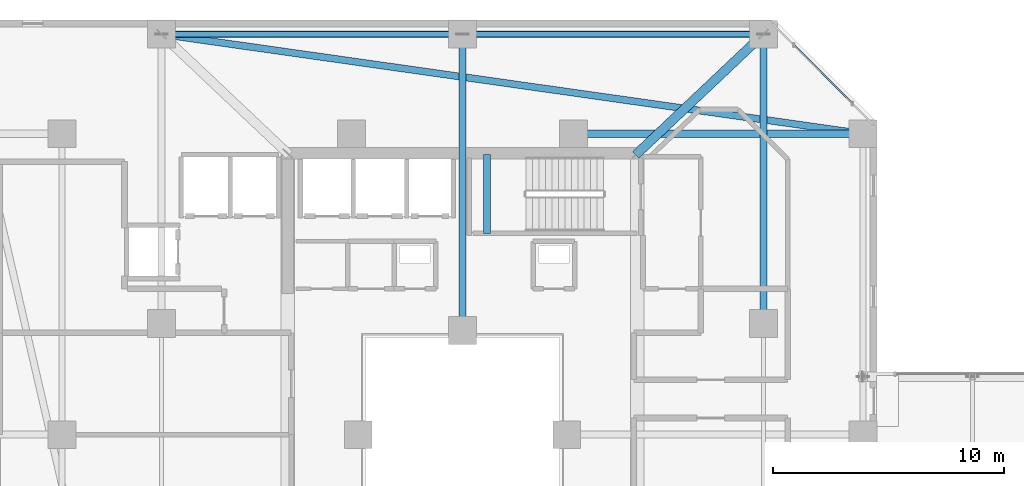
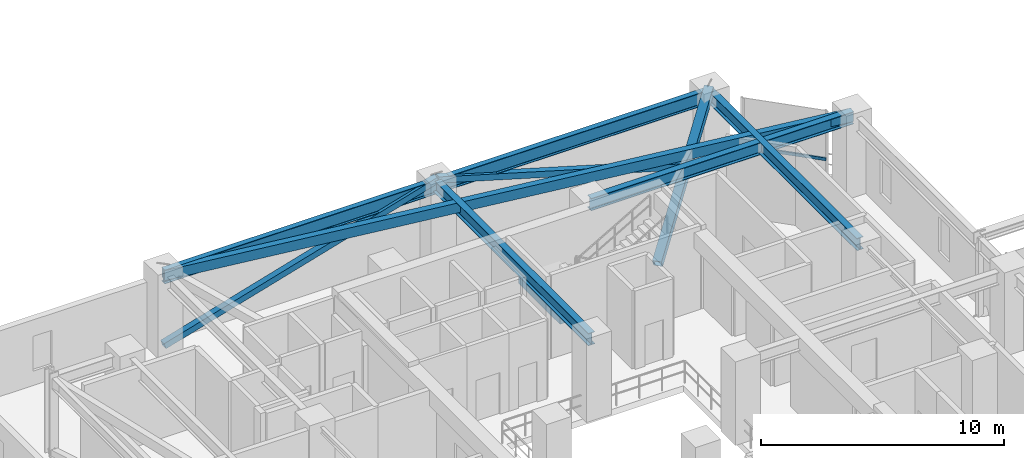
# One storey, part 15 of 45: 7 beams, 4 members, 1 element without a shape of its own.
"""IFC4 building model written with IfcOpenShell, lengths in metres."""

import ifcopenshell
import ifcopenshell.guid

model = None  # the IFC model being written
_history = None  # IfcOwnerHistory: only IFC2X3 demands one
_inside = {}  # id of a spatial element -> (the spatial element, [elements in it])
_under = {}  # id of a project, library or spatial element -> (it, [spatial elements below it])
_declared = {}  # id of a project -> (the project, [libraries it declares])
_typed = {}  # id of a type object -> (the type object, [elements of that type])
_made_of = {}  # id of a material, layer set ... -> (it, [elements and type objects made of it])


def new_model(schema):
    """Start an empty IFC model of exactly this schema.

    Asked for "IFC4X3", IfcOpenShell would pick the latest addendum, in which some entities
    have other attributes; the version numbers below select the first issue.
    IFC2X3 requires an IfcOwnerHistory on every rooted entity: one is made here for all.
    """
    global model, _history
    if schema == "IFC4X3":
        model = ifcopenshell.file(schema_version=(4, 3, 0, 0))
    else:
        model = ifcopenshell.file(schema=schema)
    _inside.clear()
    _under.clear()
    _declared.clear()
    _typed.clear()
    _made_of.clear()
    _history = None
    if model.schema == "IFC2X3":
        org = make("IfcOrganization", Name="unknown")
        user = make(
            "IfcPersonAndOrganization",
            ThePerson=make("IfcPerson", FamilyName="unknown"),
            TheOrganization=org,
        )
        app = make(
            "IfcApplication",
            ApplicationDeveloper=org,
            Version="unknown",
            ApplicationFullName="unknown",
            ApplicationIdentifier="unknown",
        )
        _history = make(
            "IfcOwnerHistory",
            OwningUser=user,
            OwningApplication=app,
            ChangeAction="ADDED",
            CreationDate=0,
        )
    return model


def make(cls, **values):
    """One entity of the class cls with the attributes given. An attribute that is None is left unset."""
    return model.create_entity(
        cls, **{name: value for name, value in values.items() if value is not None}
    )


def rooted(cls, **values):
    """An entity with a GlobalId (a new one), such as an element, a storey or a relation."""
    return make(cls, GlobalId=ifcopenshell.guid.new(), OwnerHistory=_history, **values)


def si_unit(unit_type, name, prefix=None):
    """IfcSIUnit, for example si_unit("LENGTHUNIT", "METRE", prefix="MILLI")."""
    return make("IfcSIUnit", UnitType=unit_type, Prefix=prefix, Name=name)


def assignment(units):
    """IfcUnitAssignment: the units of a project."""
    return None if units is None else make("IfcUnitAssignment", Units=units)


def point(xyz):
    """IfcCartesianPoint."""
    return None if xyz is None else make("IfcCartesianPoint", Coordinates=xyz)


def direction(xyz):
    """IfcDirection."""
    return None if xyz is None else make("IfcDirection", DirectionRatios=xyz)


def frame(location, z_axis=None, x_axis=None):
    """IfcAxis2Placement3D, a coordinate frame: its origin and axes. An axis left out is left unset."""
    return make(
        "IfcAxis2Placement3D",
        Location=point(location),
        Axis=direction(z_axis),
        RefDirection=direction(x_axis),
    )


def frame_2d(location, x_axis=None):
    """IfcAxis2Placement2D, a coordinate frame in the plane: its origin and x axis."""
    return make(
        "IfcAxis2Placement2D", Location=point(location), RefDirection=direction(x_axis)
    )


def origin():
    """The frame at (0, 0, 0) with its axes left unset."""
    return frame((0.0, 0.0, 0.0))


def origin_2d():
    """The frame at (0, 0) in the plane with its x axis left unset."""
    return frame_2d((0.0, 0.0))


def place(relative_to, where):
    """IfcLocalPlacement: puts the frame where relative to a parent placement (None: the world)."""
    return make(
        "IfcLocalPlacement", PlacementRelTo=relative_to, RelativePlacement=where
    )


def context(
    kind, dimensions, precision=None, world=None, true_north=None, identifier=None
):
    """IfcGeometricRepresentationContext, for example the 3D "Model" context."""
    return make(
        "IfcGeometricRepresentationContext",
        ContextIdentifier=identifier,
        ContextType=kind,
        CoordinateSpaceDimension=dimensions,
        Precision=precision,
        WorldCoordinateSystem=world,
        TrueNorth=true_north,
    )


def subcontext(parent, identifier, kind, view, scale=None):
    """IfcGeometricRepresentationSubContext, for example "Body" below "Model"."""
    return make(
        "IfcGeometricRepresentationSubContext",
        ContextIdentifier=identifier,
        ContextType=kind,
        ParentContext=parent,
        TargetScale=scale,
        TargetView=view,
    )


def project(units=None, contexts=None):
    """IfcProject with its units and contexts."""
    return rooted(
        "IfcProject",
        Name="project",
        RepresentationContexts=contexts,
        UnitsInContext=assignment(units),
    )


def spatial(cls, under=None, at=None, **own):
    """A site, building, storey or space (cls), placed at a placement, below another one or the project."""
    s = rooted(cls, ObjectPlacement=at, **own)
    if under is not None:
        _under.setdefault(under.id(), (under, []))[1].append(s)
    return s


def profile(cls, at=None, kind="AREA", **sizes):
    """A parametric profile (cls). Its sizes go by their IFC names, for example OverallWidth=200.0."""
    return make(cls, ProfileType=kind, Position=at, **sizes)


def rectangle(**sizes):
    """IfcRectangleProfileDef."""
    return profile("IfcRectangleProfileDef", **sizes)


def hollow_rectangle(**sizes):
    """IfcRectangleHollowProfileDef."""
    return profile("IfcRectangleHollowProfileDef", **sizes)


def i_section(**sizes):
    """IfcIShapeProfileDef."""
    return profile("IfcIShapeProfileDef", **sizes)


def extrude(swept, where, along, depth):
    """IfcExtrudedAreaSolid: the profile swept, set in the frame where, extruded along a direction by depth."""
    return make(
        "IfcExtrudedAreaSolid",
        SweptArea=swept,
        Position=where,
        ExtrudedDirection=direction(along),
        Depth=depth,
    )


def shape(context_of_items, identifier, shape_type, items):
    """IfcShapeRepresentation: the items that make up one representation, for example the "Body"."""
    return make(
        "IfcShapeRepresentation",
        ContextOfItems=context_of_items,
        RepresentationIdentifier=identifier,
        RepresentationType=shape_type,
        Items=items,
    )


def material(Name=None, Category=None):
    """IfcMaterial."""
    return make("IfcMaterial", Name=Name, Category=Category)


def material_profile(
    of_material, cross_section, Name=None, Category=None, Priority=None
):
    """IfcMaterialProfile: a cross section and its material."""
    return make(
        "IfcMaterialProfile",
        Name=Name,
        Material=of_material,
        Profile=cross_section,
        Priority=Priority,
        Category=Category,
    )


def profile_set(profiles, Name=None, composite=None):
    """IfcMaterialProfileSet."""
    return make(
        "IfcMaterialProfileSet",
        Name=Name,
        MaterialProfiles=profiles,
        CompositeProfile=composite,
    )


def made_of(thing, what):
    """Note that an element or type object is made of a material, layer set ...; save() writes the relation."""
    if what is not None:
        _made_of.setdefault(what.id(), (what, []))[1].append(thing)
    return thing


def type_object(cls, material=None, **own):
    """A type object (cls), such as IfcWallType, which elements share."""
    return made_of(rooted(cls, **own), material)


def element(
    cls,
    number,
    at=None,
    inside=None,
    cuts=None,
    type_object=None,
    material=None,
    context=None,
    identifier="Body",
    shape_type=None,
    held_by="IfcProductDefinitionShape",
    body=None,
    shapes=None,
    **own,
):
    """One element of the class cls, such as IfcWall. Its Tag is "e" and its number.

    at: its placement. inside: the storey or other place that contains it. cuts: it is an
    opening in that element (IfcRelVoidsElement). A single representation is given by context,
    identifier, shape_type and body (its items); several are given by shapes. held_by: the class
    of the entity that holds the representations. save() writes the other relations.
    """
    e = rooted(cls, Tag="e%d" % number, ObjectPlacement=at, **own)
    if body is not None:
        shapes = [shape(context, identifier, shape_type, body)]
    if shapes is not None:
        e.Representation = make(held_by, Representations=shapes)
    if inside is not None:
        _inside.setdefault(inside.id(), (inside, []))[1].append(e)
    if cuts is not None:
        rooted(
            "IfcRelVoidsElement", RelatingBuildingElement=cuts, RelatedOpeningElement=e
        )
    if type_object is not None:
        _typed.setdefault(type_object.id(), (type_object, []))[1].append(e)
    return made_of(e, material)


def aggregate(whole, parts):
    """IfcRelAggregates: a whole, such as a stair, and the parts it consists of."""
    return rooted("IfcRelAggregates", RelatingObject=whole, RelatedObjects=parts)


def save(model, path):
    """Write the relations noted so far, then the file.

    IfcRelAggregates (storeys below a building ...), IfcRelContainedInSpatialStructure (elements
    in a storey), IfcRelDefinesByType, IfcRelAssociatesMaterial and IfcRelDeclares: one each for
    every whole, place, type object, material and project.
    """
    for whole, parts in _under.values():
        aggregate(whole, parts)
    for where, things in _inside.values():
        rooted(
            "IfcRelContainedInSpatialStructure",
            RelatedElements=things,
            RelatingStructure=where,
        )
    for kind, things in _typed.values():
        rooted("IfcRelDefinesByType", RelatedObjects=things, RelatingType=kind)
    for what, things in _made_of.values():
        rooted("IfcRelAssociatesMaterial", RelatedObjects=things, RelatingMaterial=what)
    for by, libraries in _declared.values():
        rooted("IfcRelDeclares", RelatingContext=by, RelatedDefinitions=libraries)
    model.write(path)


model = new_model("IFC4")

# Units and contexts
model_context = context("Model", 3, precision=1e-05, world=origin(), true_north=direction((0.0, 1.0)))
body_context = subcontext(model_context, "Body", "Model", "MODEL_VIEW")
ifc_project = project(units=[si_unit("LENGTHUNIT", "METRE"), si_unit("AREAUNIT", "SQUARE_METRE"), si_unit("VOLUMEUNIT", "CUBIC_METRE"), si_unit("PLANEANGLEUNIT", "RADIAN"), si_unit("MASSUNIT", "GRAM", prefix="KILO")], contexts=[model_context])

# Site, building, storey
site_placement = place(None, origin())
site = spatial("IfcSite", under=ifc_project, at=site_placement, CompositionType="ELEMENT")
building_placement = place(site_placement, origin())
building = spatial("IfcBuilding", under=site, at=building_placement, Name="Thornwick Lancets Civic Towers", CompositionType="ELEMENT")
storey_placement = place(building_placement, frame((0.0, 0.0, 141.300048828125)))
storey = spatial("IfcBuildingStorey", under=building, at=storey_placement, Name="L37", CompositionType="ELEMENT", Elevation=141.300048828125)

# Beams
ifc_material_1 = material(Name="Steel S355JR", Category="steel")
ifc_material_profile_1 = material_profile(ifc_material_1, i_section(OverallWidth=0.30712890625, OverallDepth=0.6201171875, WebThickness=0.01416015625, FlangeThickness=0.023681640625, FilletRadius=0.0166015625, at=origin_2d()), Name="UKB 610x305x179")
ifc_profile_set_1 = profile_set([ifc_material_profile_1], Name="Steel S355JR")
beam_type_1 = type_object("IfcBeamType", Name="BM_GIRD_610_179", PredefinedType="BEAM", material=ifc_profile_set_1)
beam_1_placement = place(storey_placement, frame((30.300048828125, 40.0, 3.64990234375), z_axis=(1.0, 0.0, 0.0), x_axis=(0.0, 1.0, 0.0)))
element("IfcBeam", 1, at=beam_1_placement, inside=storey, type_object=beam_type_1, Name="BM-RADIN-L37-A06", PredefinedType="BEAM", context=body_context, shape_type="SweptSolid", body=[
    extrude(i_section(OverallWidth=0.30712890625, OverallDepth=0.6201171875, WebThickness=0.01416015625, FlangeThickness=0.023681640625, FilletRadius=0.0166015625, at=origin_2d()), origin(), (0.0, 0.0, 1.0), 12.5),
])
beam_2_placement = place(storey_placement, frame((25.5, 31.5, 3.64990234375), z_axis=(0.0, 1.0, 0.0), x_axis=(-1.0, 0.0, 0.0)))
element("IfcBeam", 2, at=beam_2_placement, inside=storey, type_object=beam_type_1, Name="BM-RADIN-L37-A08", PredefinedType="BEAM", context=body_context, shape_type="SweptSolid", body=[
    extrude(i_section(OverallWidth=0.30712890625, OverallDepth=0.6201171875, WebThickness=0.01416015625, FlangeThickness=0.023681640625, FilletRadius=0.0166015625, at=origin_2d()), origin(), (0.0, 0.0, 1.0), 12.800048828125),
])
beam_3_placement = place(storey_placement, frame((38.5, 31.8798828125, 3.64990234375), z_axis=(0.0, 1.0, 0.0), x_axis=(-1.0, 0.0, 0.0)))
element("IfcBeam", 3, at=beam_3_placement, inside=storey, type_object=beam_type_1, Name="BM-RADIN-L37-A09", PredefinedType="BEAM", context=body_context, shape_type="SweptSolid", body=[
    extrude(i_section(OverallWidth=0.30712890625, OverallDepth=0.6201171875, WebThickness=0.01416015625, FlangeThickness=0.023681640625, FilletRadius=0.0166015625, at=origin_2d()), origin(), (0.0, 0.0, 1.0), 12.420166015625),
])
ifc_material_profile_2 = material_profile(ifc_material_1, i_section(OverallWidth=0.255859375, OverallDepth=0.69287109375, WebThickness=0.014404296875, FlangeThickness=0.023681640625, FilletRadius=0.01513671875, at=origin_2d()), Name="UKB 686x254x170")
ifc_profile_set_2 = profile_set([ifc_material_profile_2], Name="Steel S355JR")
beam_type_2 = type_object("IfcBeamType", Name="BM_GIRD_686_170", PredefinedType="BEAM", material=ifc_profile_set_2)
beam_4_placement = place(storey_placement, frame((12.5, 44.300048828125, 3.613525390625), z_axis=(1.0, 0.0, 0.0), x_axis=(0.0, 1.0, 0.0)))
element("IfcBeam", 4, at=beam_4_placement, inside=storey, type_object=beam_type_2, Name="BM-SPINE-L37-A-6-7", PredefinedType="BEAM", context=body_context, shape_type="SweptSolid", body=[
    extrude(i_section(OverallWidth=0.255859375, OverallDepth=0.69287109375, WebThickness=0.014404296875, FlangeThickness=0.023681640625, FilletRadius=0.01513671875, at=origin_2d()), origin(), (0.0, 0.0, 1.0), 13.0),
])
beam_5_placement = place(storey_placement, frame((25.580078125, 44.300048828125, 3.613525390625), z_axis=(1.0, 0.0, 0.0), x_axis=(0.0, 1.0, 0.0)))
element("IfcBeam", 5, at=beam_5_placement, inside=storey, type_object=beam_type_2, Name="BM-SPINE-L37-A-7-8", PredefinedType="BEAM", context=body_context, shape_type="SweptSolid", body=[
    extrude(i_section(OverallWidth=0.255859375, OverallDepth=0.69287109375, WebThickness=0.014404296875, FlangeThickness=0.023681640625, FilletRadius=0.01513671875, at=origin_2d()), origin(), (0.0, 0.0, 1.0), 12.919921875),
])
ifc_material_2 = material(Name="Steel S460M", Category="steel")
ifc_material_profile_3 = material_profile(ifc_material_2, hollow_rectangle(XDim=0.300048828125, YDim=0.5, WallThickness=0.02001953125, at=origin_2d()), Name="RHS 500x300x20")
ifc_profile_set_3 = profile_set([ifc_material_profile_3], Name="Steel S460M")
beam_type_3 = type_object("IfcBeamType", Name="BM_RING_RHS500", PredefinedType="BEAM", material=ifc_profile_set_3)
beam_6_placement = place(storey_placement, frame((42.800048828125, 40.0, 3.7099609375), z_axis=(-0.990079584012, 0.140507712682, 0.0), x_axis=(-0.140507712682, -0.990079584012, 0.0)))
element("IfcBeam", 6, at=beam_6_placement, inside=storey, type_object=beam_type_3, Name="BM-CHAMF-L37-A-C1", PredefinedType="BEAM", context=body_context, shape_type="SweptSolid", body=[
    extrude(hollow_rectangle(XDim=0.300048828125, YDim=0.5, WallThickness=0.02001953125, at=origin_2d()), origin(), (0.0, 0.0, 1.0), 30.603759765625),
])
ifc_material_3 = material(Name="Concrete C40/50", Category="concrete")
ifc_material_profile_4 = material_profile(ifc_material_3, rectangle(XDim=0.300048828125, YDim=0.35009765625, at=origin_2d()), Name="RC 300x350")
ifc_profile_set_4 = profile_set([ifc_material_profile_4], Name="Concrete C40/50")
beam_type_4 = type_object("IfcBeamType", Name="BM_STAIR_LDG", PredefinedType="BEAM", material=ifc_profile_set_4)
beam_7_placement = place(storey_placement, frame((26.56494140625, 39.10009765625, 1.677978515625), z_axis=(0.0, -1.0, 0.0), x_axis=(1.0, 0.0, 0.0)))
element("IfcBeam", 7, at=beam_7_placement, inside=storey, type_object=beam_type_4, Name="L37 ST-A2 Landing Support Beam 1", PredefinedType="BEAM", context=body_context, shape_type="SweptSolid", body=[
    extrude(rectangle(XDim=0.300048828125, YDim=0.35009765625, at=origin_2d()), origin(), (0.0, 0.0, 1.0), 3.400146484375),
])

# Curtain wall, member
ifc_material_4 = material(Name="Mid-zone chamfered-corner unitised glass curtain wall", Category="glass")
curtain_wall_type = type_object("IfcCurtainWallType", Name="CW_SYS_04", PredefinedType="NOTDEFINED", material=ifc_material_4)
curtain_wall_placement = place(storey_placement, origin())
curtain_wall = element("IfcCurtainWall", 8, at=curtain_wall_placement, inside=storey, type_object=curtain_wall_type, Name="L37 Curtain Wall CW-L37-A-E3", PredefinedType="NOTDEFINED")
ifc_material_5 = material(Name="Thermally broken bronze aluminium S355", Category="steel")
ifc_material_profile_5 = material_profile(ifc_material_5, hollow_rectangle(XDim=0.074951171875, YDim=0.14990234375, WallThickness=0.0048828125, at=origin_2d()), Name="RHS 150x75x5")
ifc_profile_set_5 = profile_set([ifc_material_profile_5], Name="Thermally broken bronze aluminium S355")
member_type_1 = type_object("IfcMemberType", Name="CW_TRN_150", PredefinedType="USERDEFINED", material=ifc_profile_set_5)
member_1_placement = place(storey_placement, frame((42.32568359375, 41.321533203125, 0.849853515625), z_axis=(-0.707106781187, 0.707106781187, 0.0), x_axis=(-0.707106781187, -0.707106781187, 0.0)))
member_1 = element("IfcMember", 9, at=member_1_placement, type_object=member_type_1, Name="CW-L37-A-E3 Transom 0", ObjectType="TRANSOM", PredefinedType="USERDEFINED", context=body_context, shape_type="SweptSolid", body=[
    extrude(hollow_rectangle(XDim=0.074951171875, YDim=0.14990234375, WallThickness=0.0048828125, at=origin_2d()), origin(), (0.0, 0.0, 1.0), 3.54150390625),
])
aggregate(curtain_wall, [member_1])

# Members
ifc_material_profile_6 = material_profile(ifc_material_2, hollow_rectangle(XDim=0.300048828125, YDim=0.300048828125, WallThickness=0.01611328125, at=origin_2d()), Name="SHS 300x300x16")
ifc_profile_set_6 = profile_set([ifc_material_profile_6], Name="Steel S460M")
member_type_2 = type_object("IfcMemberType", Name="MEM_BELT_SHS300", PredefinedType="BRACE", material=ifc_profile_set_6)
for number, where, z_axis, x_axis, name in (
    (10, (12.5, 44.300048828125, 0.14990234375), (0.959634246783, 0.0, 0.281250977601), (0.0, 1.0, 0.0), "L37 Belt Truss Diagonal A-S2-1"),
    (11, (38.5, 44.300048828125, 0.14990234375), (-0.959634246783, 0.0, 0.281250977601), (0.0, -1.0, 0.0), "L37 Belt Truss Diagonal A-S2-2"),
):
    element("IfcMember", number, at=place(storey_placement, frame(where, z_axis=z_axis, x_axis=x_axis)), inside=storey, type_object=member_type_2, Name=name, PredefinedType="BRACE", context=body_context, shape_type="SweptSolid", body=[
        extrude(hollow_rectangle(XDim=0.300048828125, YDim=0.300048828125, WallThickness=0.01611328125, at=origin_2d()), origin(), (0.0, 0.0, 1.0), 13.546875),
    ])
ifc_material_profile_7 = material_profile(ifc_material_2, hollow_rectangle(XDim=0.39990234375, YDim=0.39990234375, WallThickness=0.02001953125, at=origin_2d()), Name="SHS 400x400x20")
ifc_profile_set_7 = profile_set([ifc_material_profile_7], Name="Steel S460M")
member_type_3 = type_object("IfcMemberType", Name="MEM_OUTRIG_SHS400", PredefinedType="BRACE", material=ifc_profile_set_7)
member_2_placement = place(storey_placement, frame((33.050048828125, 39.14990234375, 0.14990234375), z_axis=(0.6479661798, 0.612321218604, 0.452992886349), x_axis=(-0.686832880872, 0.726815378038, 0.0)))
element("IfcMember", 12, at=member_2_placement, inside=storey, type_object=member_type_3, Name="L37 Outrigger Brace A-3", PredefinedType="BRACE", context=body_context, shape_type="SweptSolid", body=[
    extrude(hollow_rectangle(XDim=0.39990234375, YDim=0.39990234375, WallThickness=0.02001953125, at=origin_2d()), origin(), (0.0, 0.0, 1.0), 8.410888671875),
])

save(model, "model.ifc")
